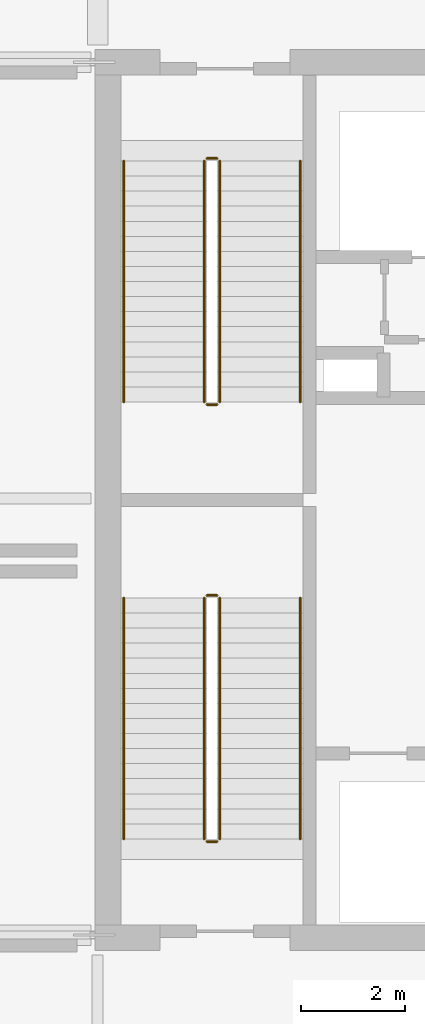
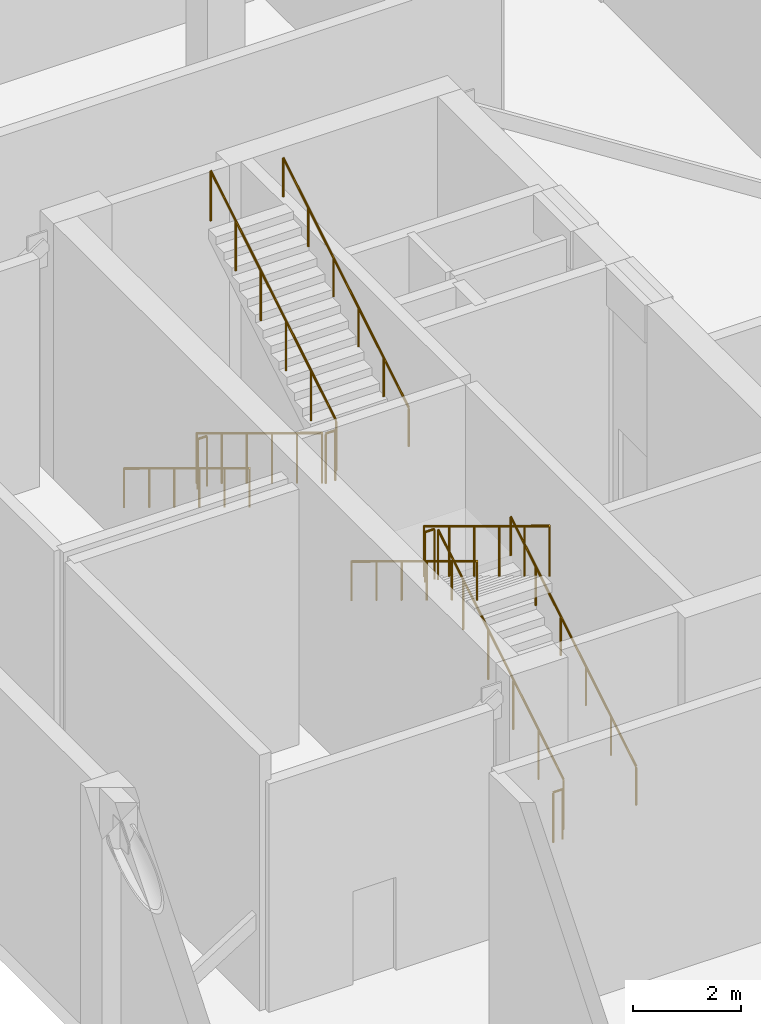
# One storey, part 14 of 14: 12 railings.
"""IFC4 building model written with IfcOpenShell, lengths in metres."""

from ifc_helpers import new_model, si_unit, direction, frame, origin, origin_2d, place, context, subcontext, project, spatial, circle, extrude, material, type_object, element, save


model = new_model("IFC4")

# Units and contexts
model_context = context("Model", 3, precision=1e-05, world=origin(), true_north=direction((0.0, 1.0)))
body_context = subcontext(model_context, "Body", "Model", "MODEL_VIEW")
ifc_project = project(units=[si_unit("LENGTHUNIT", "METRE"), si_unit("AREAUNIT", "SQUARE_METRE"), si_unit("VOLUMEUNIT", "CUBIC_METRE"), si_unit("PLANEANGLEUNIT", "RADIAN"), si_unit("MASSUNIT", "GRAM", prefix="KILO")], contexts=[model_context])

# Site, building, storey
site_placement = place(None, origin())
site = spatial("IfcSite", under=ifc_project, at=site_placement, CompositionType="ELEMENT")
building_placement = place(site_placement, origin())
building = spatial("IfcBuilding", under=site, at=building_placement, Name="Koriwani Terraces Tower", CompositionType="ELEMENT")
storey_placement = place(building_placement, frame((0.0, 0.0, 294.800048828125)))
storey = spatial("IfcBuildingStorey", under=building, at=storey_placement, Name="L73", CompositionType="ELEMENT", Elevation=294.800048828125)

# Railings
ifc_material = material(Name="Steel ASTM A572 Grade 50", Category="steel")
railing_type_1 = type_object("IfcRailingType", Name="GUARD_STAIR_WELL_1120", PredefinedType="GUARDRAIL", material=ifc_material)
railing_1_placement = place(storey_placement, frame((19.14990234375, 43.85009765625, 0.176513671875)))
element("IfcRailing", 1, at=railing_1_placement, inside=storey, type_object=railing_type_1, Name="L73 ST-W1 stair guard 1", PredefinedType="GUARDRAIL", context=body_context, shape_type="SweptSolid", body=[
    extrude(circle(Radius=0.02392578125, at=origin_2d()), frame((0.0, 0.0, 1.1259765625), z_axis=(0.0, 0.854263648073, 0.51983999421), x_axis=(-1.0, 0.0, 0.0)), (0.0, 0.0, 1.0), 5.431396484375),
    extrude(circle(Radius=0.02099609375, at=origin_2d()), origin(), (0.0, 0.0, 1.0), 1.101806640625),
    extrude(circle(Radius=0.02099609375, at=origin_2d()), frame((0.0, 0.927978515625, 0.564697265625)), (0.0, 0.0, 1.0), 1.101806640625),
    extrude(circle(Radius=0.02099609375, at=origin_2d()), frame((0.0, 1.85595703125, 1.12939453125)), (0.0, 0.0, 1.0), 1.101806640625),
    extrude(circle(Radius=0.02099609375, at=origin_2d()), frame((0.0, 2.783935546875, 1.694091796875)), (0.0, 0.0, 1.0), 1.101806640625),
    extrude(circle(Radius=0.02099609375, at=origin_2d()), frame((0.0, 3.7119140625, 2.2587890625)), (0.0, 0.0, 1.0), 1.101806640625),
    extrude(circle(Radius=0.02099609375, at=origin_2d()), frame((0.0, 4.639892578125, 2.823486328125)), (0.0, 0.0, 1.0), 1.101806640625),
])
railing_2_placement = place(storey_placement, frame((19.10009765625, 48.5400390625, 3.0)))
element("IfcRailing", 2, at=railing_2_placement, inside=storey, type_object=railing_type_1, Name="L73 ST-W1 stair guard 2", PredefinedType="GUARDRAIL", context=body_context, shape_type="SweptSolid", body=[
    extrude(circle(Radius=0.02392578125, at=origin_2d()), frame((0.0, 0.0, 1.1259765625), z_axis=(-1.0, 0.0, 0.0), x_axis=(0.0, -1.0, 0.0)), (0.0, 0.0, 1.0), 0.2001953125),
    extrude(circle(Radius=0.02099609375, at=origin_2d()), origin(), (0.0, 0.0, 1.0), 1.101806640625),
    extrude(circle(Radius=0.02099609375, at=origin_2d()), frame((-0.2001953125, 0.0, 0.0)), (0.0, 0.0, 1.0), 1.101806640625),
])
railing_3_placement = place(storey_placement, frame((18.85009765625, 48.489990234375, 3.176513671875)))
element("IfcRailing", 3, at=railing_3_placement, inside=storey, type_object=railing_type_1, Name="L73 ST-W1 stair guard 3", PredefinedType="GUARDRAIL", context=body_context, shape_type="SweptSolid", body=[
    extrude(circle(Radius=0.02392578125, at=origin_2d()), frame((0.0, 0.0, 1.1259765625), z_axis=(0.0, -0.854263648073, 0.51983999421), x_axis=(1.0, 0.0, 0.0)), (0.0, 0.0, 1.0), 5.431396484375),
    extrude(circle(Radius=0.02099609375, at=origin_2d()), origin(), (0.0, 0.0, 1.0), 1.101806640625),
    extrude(circle(Radius=0.02099609375, at=origin_2d()), frame((0.0, -0.927978515625, 0.564697265625)), (0.0, 0.0, 1.0), 1.101806640625),
    extrude(circle(Radius=0.02099609375, at=origin_2d()), frame((0.0, -1.85595703125, 1.12939453125)), (0.0, 0.0, 1.0), 1.101806640625),
    extrude(circle(Radius=0.02099609375, at=origin_2d()), frame((0.0, -2.783935546875, 1.694091796875)), (0.0, 0.0, 1.0), 1.101806640625),
    extrude(circle(Radius=0.02099609375, at=origin_2d()), frame((0.0, -3.7119140625, 2.2587890625)), (0.0, 0.0, 1.0), 1.101806640625),
    extrude(circle(Radius=0.02099609375, at=origin_2d()), frame((0.0, -4.639892578125, 2.823486328125)), (0.0, 0.0, 1.0), 1.101806640625),
])
railing_4_placement = place(storey_placement, frame((19.10009765625, 43.800048828125, 0.0)))
element("IfcRailing", 4, at=railing_4_placement, inside=storey, type_object=railing_type_1, Name="L73 ST-W1 stair guard 4", PredefinedType="GUARDRAIL", context=body_context, shape_type="SweptSolid", body=[
    extrude(circle(Radius=0.02392578125, at=origin_2d()), frame((0.0, 0.0, 1.1259765625), z_axis=(-1.0, 0.0, 0.0), x_axis=(0.0, -1.0, 0.0)), (0.0, 0.0, 1.0), 0.2001953125),
    extrude(circle(Radius=0.02099609375, at=origin_2d()), origin(), (0.0, 0.0, 1.0), 1.101806640625),
    extrude(circle(Radius=0.02099609375, at=origin_2d()), frame((-0.2001953125, 0.0, 0.0)), (0.0, 0.0, 1.0), 1.101806640625),
])
railing_5_placement = place(storey_placement, frame((18.85009765625, 56.89990234375, 0.176513671875)))
element("IfcRailing", 5, at=railing_5_placement, inside=storey, type_object=railing_type_1, Name="L73 ST-W2 stair guard 1", PredefinedType="GUARDRAIL", context=body_context, shape_type="SweptSolid", body=[
    extrude(circle(Radius=0.02392578125, at=origin_2d()), frame((0.0, 0.0, 1.1259765625), z_axis=(0.0, -0.854263648073, 0.51983999421), x_axis=(1.0, 0.0, 0.0)), (0.0, 0.0, 1.0), 5.431396484375),
    extrude(circle(Radius=0.02099609375, at=origin_2d()), origin(), (0.0, 0.0, 1.0), 1.101806640625),
    extrude(circle(Radius=0.02099609375, at=origin_2d()), frame((0.0, -0.927978515625, 0.564697265625)), (0.0, 0.0, 1.0), 1.101806640625),
    extrude(circle(Radius=0.02099609375, at=origin_2d()), frame((0.0, -1.85595703125, 1.12939453125)), (0.0, 0.0, 1.0), 1.101806640625),
    extrude(circle(Radius=0.02099609375, at=origin_2d()), frame((0.0, -2.783935546875, 1.694091796875)), (0.0, 0.0, 1.0), 1.101806640625),
    extrude(circle(Radius=0.02099609375, at=origin_2d()), frame((0.0, -3.7119140625, 2.2587890625)), (0.0, 0.0, 1.0), 1.101806640625),
    extrude(circle(Radius=0.02099609375, at=origin_2d()), frame((0.0, -4.639892578125, 2.823486328125)), (0.0, 0.0, 1.0), 1.101806640625),
])
railing_6_placement = place(storey_placement, frame((18.89990234375, 52.2099609375, 3.0)))
element("IfcRailing", 6, at=railing_6_placement, inside=storey, type_object=railing_type_1, Name="L73 ST-W2 stair guard 2", PredefinedType="GUARDRAIL", context=body_context, shape_type="SweptSolid", body=[
    extrude(circle(Radius=0.02392578125, at=origin_2d()), frame((0.0, 0.0, 1.1259765625), z_axis=(1.0, 0.0, 0.0), x_axis=(0.0, 1.0, 0.0)), (0.0, 0.0, 1.0), 0.2001953125),
    extrude(circle(Radius=0.02099609375, at=origin_2d()), origin(), (0.0, 0.0, 1.0), 1.101806640625),
    extrude(circle(Radius=0.02099609375, at=origin_2d()), frame((0.2001953125, 0.0, 0.0)), (0.0, 0.0, 1.0), 1.101806640625),
])
railing_7_placement = place(storey_placement, frame((19.14990234375, 52.260009765625, 3.176513671875)))
element("IfcRailing", 7, at=railing_7_placement, inside=storey, type_object=railing_type_1, Name="L73 ST-W2 stair guard 3", PredefinedType="GUARDRAIL", context=body_context, shape_type="SweptSolid", body=[
    extrude(circle(Radius=0.02392578125, at=origin_2d()), frame((0.0, 0.0, 1.1259765625), z_axis=(0.0, 0.854263648073, 0.51983999421), x_axis=(-1.0, 0.0, 0.0)), (0.0, 0.0, 1.0), 5.431396484375),
    extrude(circle(Radius=0.02099609375, at=origin_2d()), origin(), (0.0, 0.0, 1.0), 1.101806640625),
    extrude(circle(Radius=0.02099609375, at=origin_2d()), frame((0.0, 0.927978515625, 0.564697265625)), (0.0, 0.0, 1.0), 1.101806640625),
    extrude(circle(Radius=0.02099609375, at=origin_2d()), frame((0.0, 1.85595703125, 1.12939453125)), (0.0, 0.0, 1.0), 1.101806640625),
    extrude(circle(Radius=0.02099609375, at=origin_2d()), frame((0.0, 2.783935546875, 1.694091796875)), (0.0, 0.0, 1.0), 1.101806640625),
    extrude(circle(Radius=0.02099609375, at=origin_2d()), frame((0.0, 3.7119140625, 2.2587890625)), (0.0, 0.0, 1.0), 1.101806640625),
    extrude(circle(Radius=0.02099609375, at=origin_2d()), frame((0.0, 4.639892578125, 2.823486328125)), (0.0, 0.0, 1.0), 1.101806640625),
])
railing_8_placement = place(storey_placement, frame((18.89990234375, 56.949951171875, 0.0)))
element("IfcRailing", 8, at=railing_8_placement, inside=storey, type_object=railing_type_1, Name="L73 ST-W2 stair guard 4", PredefinedType="GUARDRAIL", context=body_context, shape_type="SweptSolid", body=[
    extrude(circle(Radius=0.02392578125, at=origin_2d()), frame((0.0, 0.0, 1.1259765625), z_axis=(1.0, 0.0, 0.0), x_axis=(0.0, 1.0, 0.0)), (0.0, 0.0, 1.0), 0.2001953125),
    extrude(circle(Radius=0.02099609375, at=origin_2d()), origin(), (0.0, 0.0, 1.0), 1.101806640625),
    extrude(circle(Radius=0.02099609375, at=origin_2d()), frame((0.2001953125, 0.0, 0.0)), (0.0, 0.0, 1.0), 1.101806640625),
])
railing_type_2 = type_object("IfcRailingType", Name="HANDRAIL_STAIR_920", PredefinedType="HANDRAIL", material=ifc_material)
railing_9_placement = place(storey_placement, frame((20.699951171875, 43.85009765625, 0.176513671875)))
element("IfcRailing", 9, at=railing_9_placement, inside=storey, type_object=railing_type_2, Name="L73 ST-W1 stair handrail 1", PredefinedType="HANDRAIL", context=body_context, shape_type="SweptSolid", body=[
    extrude(circle(Radius=0.02392578125, at=origin_2d()), frame((0.0, 0.0, 0.8759765625), z_axis=(0.0, 0.854263648073, 0.51983999421), x_axis=(-1.0, 0.0, 0.0)), (0.0, 0.0, 1.0), 5.431396484375),
    extrude(circle(Radius=0.02099609375, at=origin_2d()), origin(), (0.0, 0.0, 1.0), 0.851806640625),
    extrude(circle(Radius=0.02099609375, at=origin_2d()), frame((0.0, 0.927978515625, 0.564697265625)), (0.0, 0.0, 1.0), 0.851806640625),
    extrude(circle(Radius=0.02099609375, at=origin_2d()), frame((0.0, 1.85595703125, 1.12939453125)), (0.0, 0.0, 1.0), 0.851806640625),
    extrude(circle(Radius=0.02099609375, at=origin_2d()), frame((0.0, 2.783935546875, 1.694091796875)), (0.0, 0.0, 1.0), 0.851806640625),
    extrude(circle(Radius=0.02099609375, at=origin_2d()), frame((0.0, 3.7119140625, 2.2587890625)), (0.0, 0.0, 1.0), 0.851806640625),
    extrude(circle(Radius=0.02099609375, at=origin_2d()), frame((0.0, 4.639892578125, 2.823486328125)), (0.0, 0.0, 1.0), 0.851806640625),
])
for number, where, name in (
    (10, (17.300048828125, 48.489990234375, 3.176513671875), "L73 ST-W1 stair handrail 2"),
    (11, (17.300048828125, 56.89990234375, 0.176513671875), "L73 ST-W2 stair handrail 1"),
):
    element("IfcRailing", number, at=place(storey_placement, frame(where)), inside=storey, type_object=railing_type_2, Name=name, PredefinedType="HANDRAIL", context=body_context, shape_type="SweptSolid", body=[
        extrude(circle(Radius=0.02392578125, at=origin_2d()), frame((0.0, 0.0, 0.8759765625), z_axis=(0.0, -0.854263648073, 0.51983999421), x_axis=(1.0, 0.0, 0.0)), (0.0, 0.0, 1.0), 5.431396484375),
        extrude(circle(Radius=0.02099609375, at=origin_2d()), origin(), (0.0, 0.0, 1.0), 0.851806640625),
        extrude(circle(Radius=0.02099609375, at=origin_2d()), frame((0.0, -0.927978515625, 0.564697265625)), (0.0, 0.0, 1.0), 0.851806640625),
        extrude(circle(Radius=0.02099609375, at=origin_2d()), frame((0.0, -1.85595703125, 1.12939453125)), (0.0, 0.0, 1.0), 0.851806640625),
        extrude(circle(Radius=0.02099609375, at=origin_2d()), frame((0.0, -2.783935546875, 1.694091796875)), (0.0, 0.0, 1.0), 0.851806640625),
        extrude(circle(Radius=0.02099609375, at=origin_2d()), frame((0.0, -3.7119140625, 2.2587890625)), (0.0, 0.0, 1.0), 0.851806640625),
        extrude(circle(Radius=0.02099609375, at=origin_2d()), frame((0.0, -4.639892578125, 2.823486328125)), (0.0, 0.0, 1.0), 0.851806640625),
    ])
railing_10_placement = place(storey_placement, frame((20.699951171875, 52.260009765625, 3.176513671875)))
element("IfcRailing", 12, at=railing_10_placement, inside=storey, type_object=railing_type_2, Name="L73 ST-W2 stair handrail 2", PredefinedType="HANDRAIL", context=body_context, shape_type="SweptSolid", body=[
    extrude(circle(Radius=0.02392578125, at=origin_2d()), frame((0.0, 0.0, 0.8759765625), z_axis=(0.0, 0.854263648073, 0.51983999421), x_axis=(-1.0, 0.0, 0.0)), (0.0, 0.0, 1.0), 5.431396484375),
    extrude(circle(Radius=0.02099609375, at=origin_2d()), origin(), (0.0, 0.0, 1.0), 0.851806640625),
    extrude(circle(Radius=0.02099609375, at=origin_2d()), frame((0.0, 0.927978515625, 0.564697265625)), (0.0, 0.0, 1.0), 0.851806640625),
    extrude(circle(Radius=0.02099609375, at=origin_2d()), frame((0.0, 1.85595703125, 1.12939453125)), (0.0, 0.0, 1.0), 0.851806640625),
    extrude(circle(Radius=0.02099609375, at=origin_2d()), frame((0.0, 2.783935546875, 1.694091796875)), (0.0, 0.0, 1.0), 0.851806640625),
    extrude(circle(Radius=0.02099609375, at=origin_2d()), frame((0.0, 3.7119140625, 2.2587890625)), (0.0, 0.0, 1.0), 0.851806640625),
    extrude(circle(Radius=0.02099609375, at=origin_2d()), frame((0.0, 4.639892578125, 2.823486328125)), (0.0, 0.0, 1.0), 0.851806640625),
])

save(model, "model.ifc")
